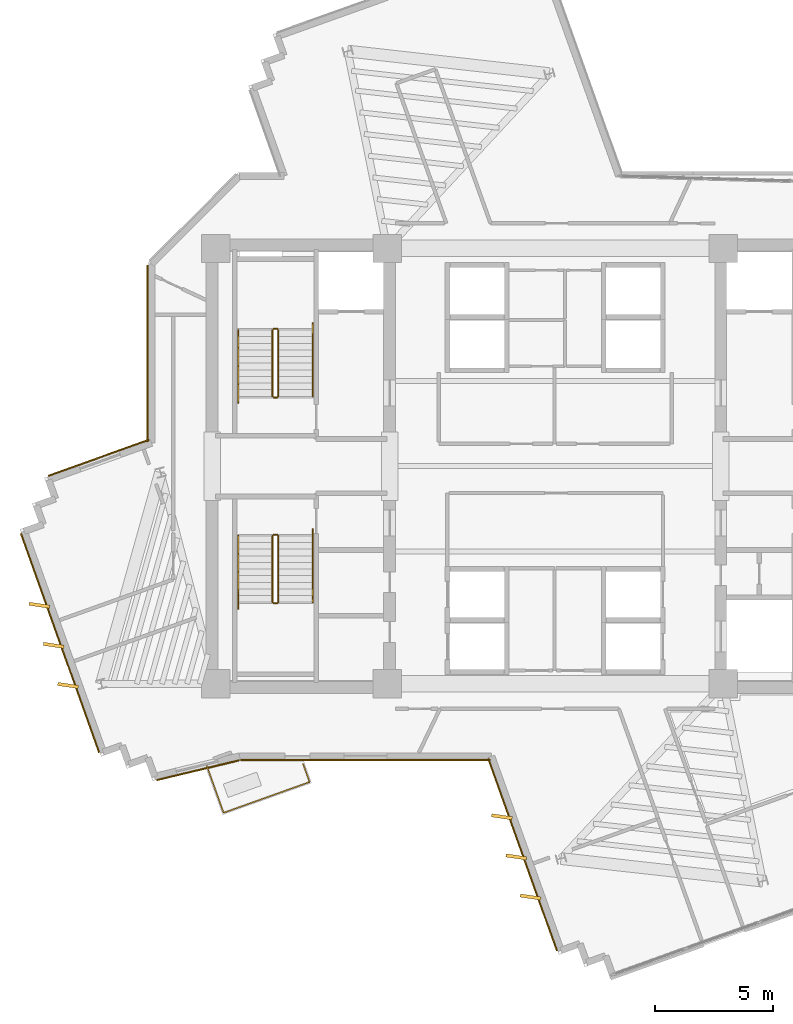
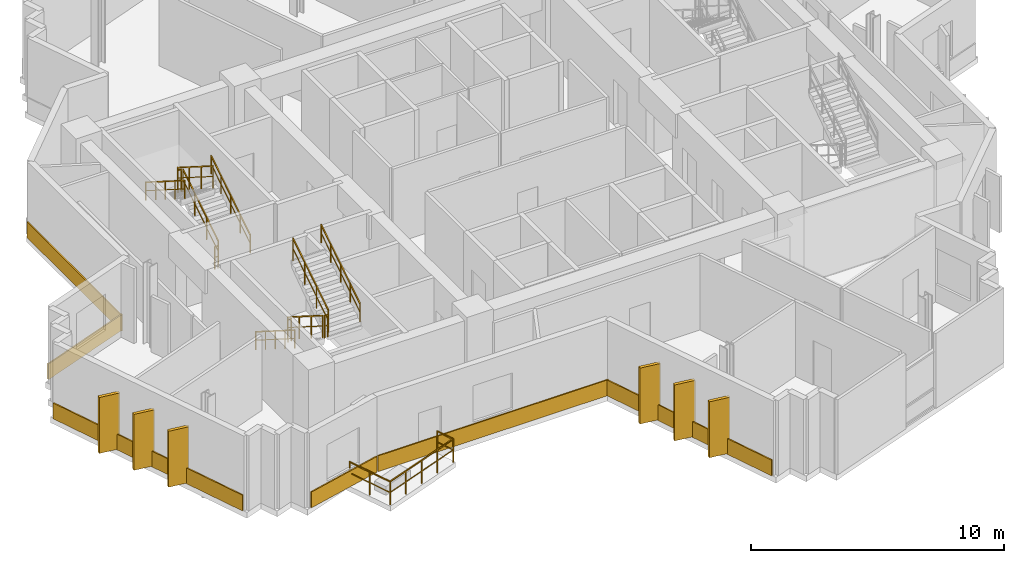
# One storey, part 11 of 13: 15 railings, 12 coverings.
"""IFC4 building model written with IfcOpenShell, lengths in metres."""

from ifc_helpers import new_model, si_unit, direction, frame, origin, origin_2d, place, context, subcontext, project, spatial, rectangle, extrude, source, transform, mapped, material, layer, layer_set, type_object, element, save


model = new_model("IFC4")

# Units and contexts
model_context = context("Model", 3, precision=1e-05, world=origin(), true_north=direction((0.0, 1.0)))
body_context = subcontext(model_context, "Body", "Model", "MODEL_VIEW")
ifc_project = project(units=[si_unit("LENGTHUNIT", "METRE"), si_unit("AREAUNIT", "SQUARE_METRE"), si_unit("VOLUMEUNIT", "CUBIC_METRE"), si_unit("PLANEANGLEUNIT", "RADIAN"), si_unit("MASSUNIT", "GRAM", prefix="KILO")], contexts=[model_context])

# Site, building, storey
site_placement = place(None, origin())
site = spatial("IfcSite", under=ifc_project, at=site_placement, CompositionType="ELEMENT")
building_placement = place(site_placement, origin())
building = spatial("IfcBuilding", under=site, at=building_placement, Name="Zahravan Cultural Tower", CompositionType="ELEMENT")
storey_placement = place(building_placement, frame((0.0, 0.0, 221.39990234375)))
storey = spatial("IfcBuildingStorey", under=building, at=storey_placement, Name="L52", CompositionType="ELEMENT", Elevation=221.39990234375)

# Railings
ifc_material_1 = material(Name="Steel ASTM A572 Grade 50", Category="steel")
railing_type_1 = type_object("IfcRailingType", Name="RL-BAL-1150", PredefinedType="BALUSTRADE", material=ifc_material_1)
railing_1_placement = place(storey_placement, frame((25.618408203125, 13.647216796875, 0.0)))
element("IfcRailing", 1, at=railing_1_placement, inside=storey, type_object=railing_type_1, Name="L52 Edge Balustrade GRD-TR-L52-SW-01", PredefinedType="BALUSTRADE", context=body_context, shape_type="SweptSolid", body=[
    extrude(rectangle(XDim=0.05, YDim=0.05, at=origin_2d()), frame((0.0, 0.0, 1.125), z_axis=(-0.941671776633, -0.336532710287, 0.0), x_axis=(0.336532710287, -0.941671776633, 0.0)), (0.0, 0.0, 1.0), 3.860107421875),
    extrude(rectangle(XDim=0.032, YDim=0.032, at=origin_2d()), frame((0.0, 0.0, 0.597900390625), z_axis=(-0.941671776633, -0.336532710287, 0.0), x_axis=(0.336532710287, -0.941671776633, 0.0)), (0.0, 0.0, 1.0), 3.860107421875),
    extrude(rectangle(XDim=0.04, YDim=0.04, at=origin_2d()), origin(), (0.0, 0.0, 1.0), 1.14990234375),
    extrude(rectangle(XDim=0.04, YDim=0.04, at=origin_2d()), frame((-0.90869140625, -0.32470703125, 0.0)), (0.0, 0.0, 1.0), 1.14990234375),
    extrude(rectangle(XDim=0.04, YDim=0.04, at=origin_2d()), frame((-1.8173828125, -0.6494140625, 0.0)), (0.0, 0.0, 1.0), 1.14990234375),
    extrude(rectangle(XDim=0.04, YDim=0.04, at=origin_2d()), frame((-2.726318359375, -0.974365234375, 0.0)), (0.0, 0.0, 1.0), 1.14990234375),
    extrude(rectangle(XDim=0.04, YDim=0.04, at=origin_2d()), frame((-3.635009765625, -1.299072265625, 0.0)), (0.0, 0.0, 1.0), 1.14990234375),
])
railing_2_placement = place(storey_placement, frame((21.9833984375, 12.34814453125, 0.0)))
element("IfcRailing", 2, at=railing_2_placement, inside=storey, type_object=railing_type_1, Name="L52 Edge Balustrade GRD-TR-L52-SW-02", PredefinedType="BALUSTRADE", context=body_context, shape_type="SweptSolid", body=[
    extrude(rectangle(XDim=0.05, YDim=0.05, at=origin_2d()), frame((0.0, 0.0, 1.125), z_axis=(-0.336594171883, 0.941649809353, 0.0), x_axis=(-0.941649809353, -0.336594171883, 0.0)), (0.0, 0.0, 1.0), 2.099853515625),
    extrude(rectangle(XDim=0.032, YDim=0.032, at=origin_2d()), frame((0.0, 0.0, 0.597900390625), z_axis=(-0.336594171883, 0.941649809353, 0.0), x_axis=(-0.941649809353, -0.336594171883, 0.0)), (0.0, 0.0, 1.0), 2.099853515625),
    extrude(rectangle(XDim=0.04, YDim=0.04, at=origin_2d()), origin(), (0.0, 0.0, 1.0), 1.14990234375),
    extrude(rectangle(XDim=0.04, YDim=0.04, at=origin_2d()), frame((-0.353515625, 0.98876953125, 0.0)), (0.0, 0.0, 1.0), 1.14990234375),
    extrude(rectangle(XDim=0.04, YDim=0.04, at=origin_2d()), frame((-0.706787109375, 1.977294921875, 0.0)), (0.0, 0.0, 1.0), 1.14990234375),
])
railing_3_placement = place(storey_placement, frame((25.342041015625, 14.419921875, 0.0)))
element("IfcRailing", 3, at=railing_3_placement, inside=storey, type_object=railing_type_1, Name="L52 Edge Balustrade GRD-TR-L52-SW-03", PredefinedType="BALUSTRADE", context=body_context, shape_type="SweptSolid", body=[
    extrude(rectangle(XDim=0.05, YDim=0.05, at=origin_2d()), frame((0.0, 0.0, 1.125), z_axis=(0.336769822681, -0.941587004228, 0.0), x_axis=(0.941587004228, 0.336769822681, 0.0)), (0.0, 0.0, 1.0), 0.820556640625),
    extrude(rectangle(XDim=0.032, YDim=0.032, at=origin_2d()), frame((0.0, 0.0, 0.597900390625), z_axis=(0.336769822681, -0.941587004228, 0.0), x_axis=(0.941587004228, 0.336769822681, 0.0)), (0.0, 0.0, 1.0), 0.820556640625),
    extrude(rectangle(XDim=0.04, YDim=0.04, at=origin_2d()), origin(), (0.0, 0.0, 1.0), 1.14990234375),
    extrude(rectangle(XDim=0.04, YDim=0.04, at=origin_2d()), frame((0.2763671875, -0.772705078125, 0.0)), (0.0, 0.0, 1.0), 1.14990234375),
])
railing_type_2 = type_object("IfcRailingType", Name="RL-STAIR-GRD1150", PredefinedType="BALUSTRADE", material=ifc_material_1)
railing_4_placement = place(storey_placement, frame((24.300048828125, 29.949951171875, 0.177490234375)))
element("IfcRailing", 4, at=railing_4_placement, inside=storey, type_object=railing_type_2, Name="L52 ST-W1 stair guard 1", PredefinedType="BALUSTRADE", context=body_context, shape_type="SweptSolid", body=[
    extrude(rectangle(XDim=0.05, YDim=0.05, at=origin_2d()), frame((0.0, 0.0, 1.0751953125), z_axis=(0.0, 0.844908973607, 0.534910110503), x_axis=(-1.0, 0.0, 0.0)), (0.0, 0.0, 1.0), 3.31396484375),
    extrude(rectangle(XDim=0.032, YDim=0.032, at=origin_2d()), frame((0.0, 0.0, 0.572021484375), z_axis=(0.0, 0.844908973607, 0.534910110503), x_axis=(-1.0, 0.0, 0.0)), (0.0, 0.0, 1.0), 3.31396484375),
    extrude(rectangle(XDim=0.04, YDim=0.04, at=origin_2d()), origin(), (0.0, 0.0, 1.0), 1.10009765625),
    extrude(rectangle(XDim=0.04, YDim=0.04, at=origin_2d()), frame((0.0, 0.933349609375, 0.5908203125)), (0.0, 0.0, 1.0), 1.10009765625),
    extrude(rectangle(XDim=0.04, YDim=0.04, at=origin_2d()), frame((0.0, 1.86669921875, 1.181884765625)), (0.0, 0.0, 1.0), 1.10009765625),
    extrude(rectangle(XDim=0.04, YDim=0.04, at=origin_2d()), frame((0.0, 2.800048828125, 1.772705078125)), (0.0, 0.0, 1.0), 1.10009765625),
])
railing_5_placement = place(storey_placement, frame((24.25, 32.800048828125, 1.9501953125)))
element("IfcRailing", 5, at=railing_5_placement, inside=storey, type_object=railing_type_2, Name="L52 ST-W1 stair guard 2", PredefinedType="BALUSTRADE", context=body_context, shape_type="SweptSolid", body=[
    extrude(rectangle(XDim=0.05, YDim=0.05, at=origin_2d()), frame((0.0, 0.0, 1.0751953125), z_axis=(-1.0, 0.0, 0.0), x_axis=(0.0, -1.0, 0.0)), (0.0, 0.0, 1.0), 0.14990234375),
    extrude(rectangle(XDim=0.032, YDim=0.032, at=origin_2d()), frame((0.0, 0.0, 0.572021484375), z_axis=(-1.0, 0.0, 0.0), x_axis=(0.0, -1.0, 0.0)), (0.0, 0.0, 1.0), 0.14990234375),
    extrude(rectangle(XDim=0.04, YDim=0.04, at=origin_2d()), origin(), (0.0, 0.0, 1.0), 1.10009765625),
    extrude(rectangle(XDim=0.04, YDim=0.04, at=origin_2d()), frame((-0.14990234375, 0.0, 0.0)), (0.0, 0.0, 1.0), 1.10009765625),
])
railing_6_placement = place(storey_placement, frame((24.050048828125, 32.75, 2.12744140625)))
element("IfcRailing", 6, at=railing_6_placement, inside=storey, type_object=railing_type_2, Name="L52 ST-W1 stair guard 3", PredefinedType="BALUSTRADE", context=body_context, shape_type="SweptSolid", body=[
    extrude(rectangle(XDim=0.05, YDim=0.05, at=origin_2d()), frame((0.0, 0.0, 1.0751953125), z_axis=(0.0, -0.844908973607, 0.534910110503), x_axis=(1.0, 0.0, 0.0)), (0.0, 0.0, 1.0), 3.31396484375),
    extrude(rectangle(XDim=0.032, YDim=0.032, at=origin_2d()), frame((0.0, 0.0, 0.572021484375), z_axis=(0.0, -0.844908973607, 0.534910110503), x_axis=(1.0, 0.0, 0.0)), (0.0, 0.0, 1.0), 3.31396484375),
    extrude(rectangle(XDim=0.04, YDim=0.04, at=origin_2d()), origin(), (0.0, 0.0, 1.0), 1.10009765625),
    extrude(rectangle(XDim=0.04, YDim=0.04, at=origin_2d()), frame((0.0, -0.933349609375, 0.5908203125)), (0.0, 0.0, 1.0), 1.10009765625),
    extrude(rectangle(XDim=0.04, YDim=0.04, at=origin_2d()), frame((0.0, -1.86669921875, 1.181884765625)), (0.0, 0.0, 1.0), 1.10009765625),
    extrude(rectangle(XDim=0.04, YDim=0.04, at=origin_2d()), frame((0.0, -2.800048828125, 1.772705078125)), (0.0, 0.0, 1.0), 1.10009765625),
])
railing_7_placement = place(storey_placement, frame((24.25, 29.89990234375, 0.0)))
element("IfcRailing", 7, at=railing_7_placement, inside=storey, type_object=railing_type_2, Name="L52 ST-W1 stair guard 4", PredefinedType="BALUSTRADE", context=body_context, shape_type="SweptSolid", body=[
    extrude(rectangle(XDim=0.05, YDim=0.05, at=origin_2d()), frame((0.0, 0.0, 1.0751953125), z_axis=(-1.0, 0.0, 0.0), x_axis=(0.0, -1.0, 0.0)), (0.0, 0.0, 1.0), 0.14990234375),
    extrude(rectangle(XDim=0.032, YDim=0.032, at=origin_2d()), frame((0.0, 0.0, 0.572021484375), z_axis=(-1.0, 0.0, 0.0), x_axis=(0.0, -1.0, 0.0)), (0.0, 0.0, 1.0), 0.14990234375),
    extrude(rectangle(XDim=0.04, YDim=0.04, at=origin_2d()), origin(), (0.0, 0.0, 1.0), 1.10009765625),
    extrude(rectangle(XDim=0.04, YDim=0.04, at=origin_2d()), frame((-0.14990234375, 0.0, 0.0)), (0.0, 0.0, 1.0), 1.10009765625),
])
railing_8_placement = place(storey_placement, frame((24.050048828125, 24.050048828125, 0.177490234375)))
element("IfcRailing", 8, at=railing_8_placement, inside=storey, type_object=railing_type_2, Name="L52 ST-W2 stair guard 1", PredefinedType="BALUSTRADE", context=body_context, shape_type="SweptSolid", body=[
    extrude(rectangle(XDim=0.05, YDim=0.05, at=origin_2d()), frame((0.0, 0.0, 1.0751953125), z_axis=(0.0, -0.844908973607, 0.534910110503), x_axis=(1.0, 0.0, 0.0)), (0.0, 0.0, 1.0), 3.31396484375),
    extrude(rectangle(XDim=0.032, YDim=0.032, at=origin_2d()), frame((0.0, 0.0, 0.572021484375), z_axis=(0.0, -0.844908973607, 0.534910110503), x_axis=(1.0, 0.0, 0.0)), (0.0, 0.0, 1.0), 3.31396484375),
    extrude(rectangle(XDim=0.04, YDim=0.04, at=origin_2d()), origin(), (0.0, 0.0, 1.0), 1.10009765625),
    extrude(rectangle(XDim=0.04, YDim=0.04, at=origin_2d()), frame((0.0, -0.933349609375, 0.5908203125)), (0.0, 0.0, 1.0), 1.10009765625),
    extrude(rectangle(XDim=0.04, YDim=0.04, at=origin_2d()), frame((0.0, -1.86669921875, 1.181884765625)), (0.0, 0.0, 1.0), 1.10009765625),
    extrude(rectangle(XDim=0.04, YDim=0.04, at=origin_2d()), frame((0.0, -2.800048828125, 1.772705078125)), (0.0, 0.0, 1.0), 1.10009765625),
])
railing_9_placement = place(storey_placement, frame((24.10009765625, 21.199951171875, 1.9501953125)))
element("IfcRailing", 9, at=railing_9_placement, inside=storey, type_object=railing_type_2, Name="L52 ST-W2 stair guard 2", PredefinedType="BALUSTRADE", context=body_context, shape_type="SweptSolid", body=[
    extrude(rectangle(XDim=0.05, YDim=0.05, at=origin_2d()), frame((0.0, 0.0, 1.0751953125), z_axis=(1.0, 0.0, 0.0), x_axis=(0.0, 1.0, 0.0)), (0.0, 0.0, 1.0), 0.14990234375),
    extrude(rectangle(XDim=0.032, YDim=0.032, at=origin_2d()), frame((0.0, 0.0, 0.572021484375), z_axis=(1.0, 0.0, 0.0), x_axis=(0.0, 1.0, 0.0)), (0.0, 0.0, 1.0), 0.14990234375),
    extrude(rectangle(XDim=0.04, YDim=0.04, at=origin_2d()), origin(), (0.0, 0.0, 1.0), 1.10009765625),
    extrude(rectangle(XDim=0.04, YDim=0.04, at=origin_2d()), frame((0.14990234375, 0.0, 0.0)), (0.0, 0.0, 1.0), 1.10009765625),
])
railing_10_placement = place(storey_placement, frame((24.300048828125, 21.25, 2.12744140625)))
element("IfcRailing", 10, at=railing_10_placement, inside=storey, type_object=railing_type_2, Name="L52 ST-W2 stair guard 3", PredefinedType="BALUSTRADE", context=body_context, shape_type="SweptSolid", body=[
    extrude(rectangle(XDim=0.05, YDim=0.05, at=origin_2d()), frame((0.0, 0.0, 1.0751953125), z_axis=(0.0, 0.844908973607, 0.534910110503), x_axis=(-1.0, 0.0, 0.0)), (0.0, 0.0, 1.0), 3.31396484375),
    extrude(rectangle(XDim=0.032, YDim=0.032, at=origin_2d()), frame((0.0, 0.0, 0.572021484375), z_axis=(0.0, 0.844908973607, 0.534910110503), x_axis=(-1.0, 0.0, 0.0)), (0.0, 0.0, 1.0), 3.31396484375),
    extrude(rectangle(XDim=0.04, YDim=0.04, at=origin_2d()), origin(), (0.0, 0.0, 1.0), 1.10009765625),
    extrude(rectangle(XDim=0.04, YDim=0.04, at=origin_2d()), frame((0.0, 0.933349609375, 0.5908203125)), (0.0, 0.0, 1.0), 1.10009765625),
    extrude(rectangle(XDim=0.04, YDim=0.04, at=origin_2d()), frame((0.0, 1.86669921875, 1.181884765625)), (0.0, 0.0, 1.0), 1.10009765625),
    extrude(rectangle(XDim=0.04, YDim=0.04, at=origin_2d()), frame((0.0, 2.800048828125, 1.772705078125)), (0.0, 0.0, 1.0), 1.10009765625),
])
railing_11_placement = place(storey_placement, frame((24.10009765625, 24.10009765625, 0.0)))
element("IfcRailing", 11, at=railing_11_placement, inside=storey, type_object=railing_type_2, Name="L52 ST-W2 stair guard 4", PredefinedType="BALUSTRADE", context=body_context, shape_type="SweptSolid", body=[
    extrude(rectangle(XDim=0.05, YDim=0.05, at=origin_2d()), frame((0.0, 0.0, 1.0751953125), z_axis=(1.0, 0.0, 0.0), x_axis=(0.0, 1.0, 0.0)), (0.0, 0.0, 1.0), 0.14990234375),
    extrude(rectangle(XDim=0.032, YDim=0.032, at=origin_2d()), frame((0.0, 0.0, 0.572021484375), z_axis=(1.0, 0.0, 0.0), x_axis=(0.0, 1.0, 0.0)), (0.0, 0.0, 1.0), 0.14990234375),
    extrude(rectangle(XDim=0.04, YDim=0.04, at=origin_2d()), origin(), (0.0, 0.0, 1.0), 1.10009765625),
    extrude(rectangle(XDim=0.04, YDim=0.04, at=origin_2d()), frame((0.14990234375, 0.0, 0.0)), (0.0, 0.0, 1.0), 1.10009765625),
])
railing_type_3 = type_object("IfcRailingType", Name="RL-STAIR-HR900", PredefinedType="HANDRAIL", material=ifc_material_1)
railing_12_placement = place(storey_placement, frame((25.75, 29.949951171875, 0.177490234375)))
element("IfcRailing", 12, at=railing_12_placement, inside=storey, type_object=railing_type_3, Name="L52 ST-W1 stair handrail 1", PredefinedType="HANDRAIL", context=body_context, shape_type="SweptSolid", body=[
    extrude(rectangle(XDim=0.05, YDim=0.05, at=origin_2d()), frame((0.0, 0.0, 0.875), z_axis=(0.0, 0.844913916606, 0.534902302785), x_axis=(-1.0, 0.0, 0.0)), (0.0, 0.0, 1.0), 3.6455078125),
    extrude(rectangle(XDim=0.032, YDim=0.032, at=origin_2d()), frame((0.0, 0.0, 0.468017578125), z_axis=(0.0, 0.844913916606, 0.534902302785), x_axis=(-1.0, 0.0, 0.0)), (0.0, 0.0, 1.0), 3.6455078125),
    extrude(rectangle(XDim=0.04, YDim=0.04, at=origin_2d()), origin(), (0.0, 0.0, 1.0), 0.89990234375),
    extrude(rectangle(XDim=0.04, YDim=0.04, at=origin_2d()), frame((0.0, 0.77001953125, 0.487548828125)), (0.0, 0.0, 1.0), 0.89990234375),
    extrude(rectangle(XDim=0.04, YDim=0.04, at=origin_2d()), frame((0.0, 1.5400390625, 0.97509765625)), (0.0, 0.0, 1.0), 0.89990234375),
    extrude(rectangle(XDim=0.04, YDim=0.04, at=origin_2d()), frame((0.0, 2.31005859375, 1.46240234375)), (0.0, 0.0, 1.0), 0.89990234375),
    extrude(rectangle(XDim=0.04, YDim=0.04, at=origin_2d()), frame((0.0, 3.080078125, 1.949951171875)), (0.0, 0.0, 1.0), 0.89990234375),
])
for number, where, name in (
    (13, (22.60009765625, 32.75, 2.12744140625), "L52 ST-W1 stair handrail 2"),
    (14, (22.60009765625, 24.050048828125, 0.177490234375), "L52 ST-W2 stair handrail 1"),
):
    element("IfcRailing", number, at=place(storey_placement, frame(where)), inside=storey, type_object=railing_type_3, Name=name, PredefinedType="HANDRAIL", context=body_context, shape_type="SweptSolid", body=[
        extrude(rectangle(XDim=0.05, YDim=0.05, at=origin_2d()), frame((0.0, 0.0, 0.875), z_axis=(0.0, -0.844913916606, 0.534902302785), x_axis=(1.0, 0.0, 0.0)), (0.0, 0.0, 1.0), 3.6455078125),
        extrude(rectangle(XDim=0.032, YDim=0.032, at=origin_2d()), frame((0.0, 0.0, 0.468017578125), z_axis=(0.0, -0.844913916606, 0.534902302785), x_axis=(1.0, 0.0, 0.0)), (0.0, 0.0, 1.0), 3.6455078125),
        extrude(rectangle(XDim=0.04, YDim=0.04, at=origin_2d()), origin(), (0.0, 0.0, 1.0), 0.89990234375),
        extrude(rectangle(XDim=0.04, YDim=0.04, at=origin_2d()), frame((0.0, -0.77001953125, 0.487548828125)), (0.0, 0.0, 1.0), 0.89990234375),
        extrude(rectangle(XDim=0.04, YDim=0.04, at=origin_2d()), frame((0.0, -1.5400390625, 0.97509765625)), (0.0, 0.0, 1.0), 0.89990234375),
        extrude(rectangle(XDim=0.04, YDim=0.04, at=origin_2d()), frame((0.0, -2.31005859375, 1.46240234375)), (0.0, 0.0, 1.0), 0.89990234375),
        extrude(rectangle(XDim=0.04, YDim=0.04, at=origin_2d()), frame((0.0, -3.080078125, 1.949951171875)), (0.0, 0.0, 1.0), 0.89990234375),
    ])
railing_13_placement = place(storey_placement, frame((25.75, 21.25, 2.12744140625)))
element("IfcRailing", 15, at=railing_13_placement, inside=storey, type_object=railing_type_3, Name="L52 ST-W2 stair handrail 2", PredefinedType="HANDRAIL", context=body_context, shape_type="SweptSolid", body=[
    extrude(rectangle(XDim=0.05, YDim=0.05, at=origin_2d()), frame((0.0, 0.0, 0.875), z_axis=(0.0, 0.844913916606, 0.534902302785), x_axis=(-1.0, 0.0, 0.0)), (0.0, 0.0, 1.0), 3.6455078125),
    extrude(rectangle(XDim=0.032, YDim=0.032, at=origin_2d()), frame((0.0, 0.0, 0.468017578125), z_axis=(0.0, 0.844913916606, 0.534902302785), x_axis=(-1.0, 0.0, 0.0)), (0.0, 0.0, 1.0), 3.6455078125),
    extrude(rectangle(XDim=0.04, YDim=0.04, at=origin_2d()), origin(), (0.0, 0.0, 1.0), 0.89990234375),
    extrude(rectangle(XDim=0.04, YDim=0.04, at=origin_2d()), frame((0.0, 0.77001953125, 0.487548828125)), (0.0, 0.0, 1.0), 0.89990234375),
    extrude(rectangle(XDim=0.04, YDim=0.04, at=origin_2d()), frame((0.0, 1.5400390625, 0.97509765625)), (0.0, 0.0, 1.0), 0.89990234375),
    extrude(rectangle(XDim=0.04, YDim=0.04, at=origin_2d()), frame((0.0, 2.31005859375, 1.46240234375)), (0.0, 0.0, 1.0), 0.89990234375),
    extrude(rectangle(XDim=0.04, YDim=0.04, at=origin_2d()), frame((0.0, 3.080078125, 1.949951171875)), (0.0, 0.0, 1.0), 0.89990234375),
])

# Coverings
ifc_material_2 = material(Name="Terracotta ceramic cladding", Category="masonry")
ifc_layer = layer(ifc_material_2, 0.06005859375)
ifc_layer_set = layer_set([ifc_layer], Name="Terracotta ceramic cladding")
covering_type = type_object("IfcCoveringType", Name="COV-CLAD-TC60", PredefinedType="CLADDING", material=ifc_layer_set)
shared_shape_1 = source(origin(), body_context, "Body", "SweptSolid", [
    extrude(rectangle(XDim=9.820068359375, YDim=0.06005859375, at=origin_2d()), origin(), (0.0, 0.0, 1.0), 0.760009765625),
])
covering_1_placement = place(storey_placement, frame((15.0712890625, 19.520263671875, 0.02001953125), z_axis=(0.0, 0.0, 1.0), x_axis=(-0.336552954434, 0.941664541576, 0.0)))
element("IfcCovering", 16, at=covering_1_placement, inside=storey, type_object=covering_type, Name="L52 Terracotta Spandrel Cladding 31", PredefinedType="CLADDING", context=body_context, shape_type="MappedRepresentation", body=[
    mapped(shared_shape_1, transform((0.0, 0.0, 0.0), x_axis=(1.0, 0.0, 0.0), y_axis=(0.0, 1.0, 0.0), z_axis=(0.0, 0.0, 1.0), scale=1.0)),
])
shared_shape_2 = source(origin(), body_context, "Body", "SweptSolid", [
    extrude(rectangle(XDim=0.8798828125, YDim=0.139892578125, at=origin_2d()), origin(), (0.0, 0.0, 1.0), 2.699951171875),
])
for number, where, z_axis, x_axis, name in (
    (17, (34.95849609375, 8.78759765625, 0.05029296875), (0.0, 0.0, 1.0), (-0.989442481744, 0.144926102967, 0.0), "L52 Herringbone Terracotta Fin 11"),
    (18, (34.352783203125, 10.482421875, 0.05029296875), (0.0, 0.0, 1.0), (-0.989442481744, 0.144926102967, 0.0), "L52 Herringbone Terracotta Fin 12"),
    (19, (33.7470703125, 12.177490234375, 0.05029296875), (0.0, 0.0, 1.0), (-0.989442481744, 0.144926102967, 0.0), "L52 Herringbone Terracotta Fin 13"),
    (20, (15.40869140625, 17.729248046875, 0.05029296875), (0.0, 0.0, 1.0), (-0.989442481744, 0.144926102967, 0.0), "L52 Herringbone Terracotta Fin 14"),
    (21, (14.802978515625, 19.42431640625, 0.05029296875), (0.0, 0.0, 1.0), (-0.989442481744, 0.144926102967, 0.0), "L52 Herringbone Terracotta Fin 15"),
    (22, (14.197265625, 21.119384765625, 0.05029296875), (0.0, 0.0, 1.0), (-0.989442481744, 0.144926102967, 0.0), "L52 Herringbone Terracotta Fin 16"),
):
    element("IfcCovering", number, at=place(storey_placement, frame(where, z_axis=z_axis, x_axis=x_axis)), inside=storey, type_object=covering_type, Name=name, PredefinedType="CLADDING", context=body_context, shape_type="MappedRepresentation", body=[
        mapped(shared_shape_2, transform((0.0, 0.0, 0.0), x_axis=(1.0, 0.0, 0.0), y_axis=(0.0, 1.0, 0.0), z_axis=(0.0, 0.0, 1.0), scale=1.0)),
    ])
shared_shape_3 = source(origin(), body_context, "Body", "SweptSolid", [
    extrude(rectangle(XDim=4.5234375, YDim=0.06005859375, at=origin_2d()), origin(), (0.0, 0.0, 1.0), 0.760009765625),
])
covering_2_placement = place(storey_placement, frame((16.70751953125, 27.352783203125, 0.02001953125), z_axis=(0.0, 0.0, 1.0), x_axis=(0.941664541576, 0.336552954434, 0.0)))
element("IfcCovering", 23, at=covering_2_placement, inside=storey, type_object=covering_type, Name="L52 Terracotta Spandrel Cladding 36", PredefinedType="CLADDING", context=body_context, shape_type="MappedRepresentation", body=[
    mapped(shared_shape_3, transform((0.0, 0.0, 0.0), x_axis=(1.0, 0.0, 0.0), y_axis=(0.0, 1.0, 0.0), z_axis=(0.0, 0.0, 1.0), scale=1.0)),
])
shared_shape_4 = source(origin(), body_context, "Body", "SweptSolid", [
    extrude(rectangle(XDim=7.466552734375, YDim=0.06005859375, at=origin_2d()), origin(), (0.0, 0.0, 1.0), 0.760009765625),
])
covering_3_placement = place(storey_placement, frame((18.77490234375, 31.7587890625, 0.02001953125), z_axis=(0.0, 0.0, 1.0), x_axis=(0.0, 1.0, 0.0)))
element("IfcCovering", 24, at=covering_3_placement, inside=storey, type_object=covering_type, Name="L52 Terracotta Spandrel Cladding 37", PredefinedType="CLADDING", context=body_context, shape_type="MappedRepresentation", body=[
    mapped(shared_shape_4, transform((0.0, 0.0, 0.0), x_axis=(1.0, 0.0, 0.0), y_axis=(0.0, 1.0, 0.0), z_axis=(0.0, 0.0, 1.0), scale=1.0)),
])
shared_shape_5 = source(origin(), body_context, "Body", "SweptSolid", [
    extrude(rectangle(XDim=8.620849609375, YDim=0.06005859375, at=origin_2d()), origin(), (0.0, 0.0, 1.0), 0.760009765625),
])
covering_4_placement = place(storey_placement, frame((34.62109375, 10.578369140625, 0.02001953125), z_axis=(0.0, 0.0, 1.0), x_axis=(-0.336552954434, 0.941664541576, 0.0)))
element("IfcCovering", 25, at=covering_4_placement, inside=storey, type_object=covering_type, Name="L52 Terracotta Spandrel Cladding 24", PredefinedType="CLADDING", context=body_context, shape_type="MappedRepresentation", body=[
    mapped(shared_shape_5, transform((0.0, 0.0, 0.0), x_axis=(1.0, 0.0, 0.0), y_axis=(0.0, 1.0, 0.0), z_axis=(0.0, 0.0, 1.0), scale=1.0)),
])
shared_shape_6 = source(origin(), body_context, "Body", "SweptSolid", [
    extrude(rectangle(XDim=10.551025390625, YDim=0.06005859375, at=origin_2d()), origin(), (0.0, 0.0, 1.0), 0.760009765625),
])
covering_5_placement = place(storey_placement, frame((27.983642578125, 14.574951171875, 0.02001953125), z_axis=(0.0, 0.0, 1.0), x_axis=(-1.0, 0.0, 0.0)))
element("IfcCovering", 26, at=covering_5_placement, inside=storey, type_object=covering_type, Name="L52 Terracotta Spandrel Cladding 25", PredefinedType="CLADDING", context=body_context, shape_type="MappedRepresentation", body=[
    mapped(shared_shape_6, transform((0.0, 0.0, 0.0), x_axis=(1.0, 0.0, 0.0), y_axis=(0.0, 1.0, 0.0), z_axis=(0.0, 0.0, 1.0), scale=1.0)),
])
shared_shape_7 = source(origin(), body_context, "Body", "SweptSolid", [
    extrude(rectangle(XDim=3.59130859375, YDim=0.06005859375, at=origin_2d()), origin(), (0.0, 0.0, 1.0), 0.760009765625),
])
covering_6_placement = place(storey_placement, frame((20.902099609375, 14.147705078125, 0.02001953125), z_axis=(0.0, 0.0, 1.0), x_axis=(-0.972243471982, -0.233971432418, 0.0)))
element("IfcCovering", 27, at=covering_6_placement, inside=storey, type_object=covering_type, Name="L52 Terracotta Spandrel Cladding 26", PredefinedType="CLADDING", context=body_context, shape_type="MappedRepresentation", body=[
    mapped(shared_shape_7, transform((0.0, 0.0, 0.0), x_axis=(1.0, 0.0, 0.0), y_axis=(0.0, 1.0, 0.0), z_axis=(0.0, 0.0, 1.0), scale=1.0)),
])

save(model, "model.ifc")
